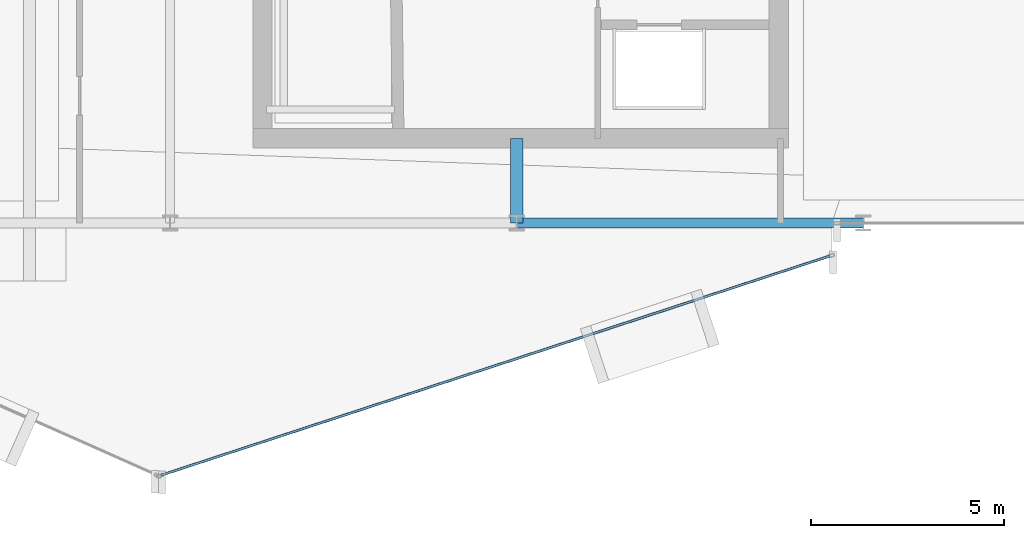
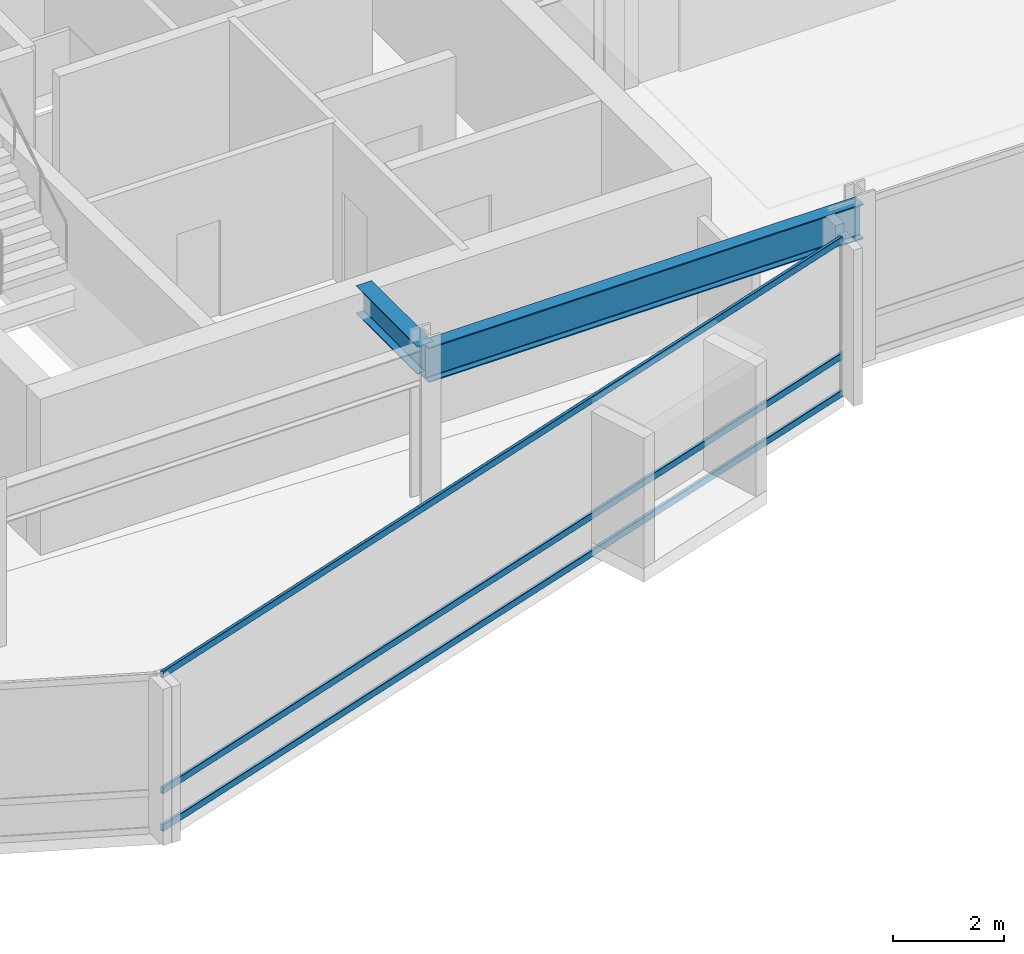
# One storey, part 9 of 27: 3 members, 2 beams, 1 element without a shape of its own.
"""IFC4 building model written with IfcOpenShell, lengths in metres."""

from ifc_helpers import new_model, si_unit, direction, frame, origin, origin_2d, place, context, subcontext, project, spatial, hollow_rectangle, i_section, extrude, material, layer, layer_set, material_profile, profile_set, type_object, element, aggregate, save


model = new_model("IFC4")

# Units and contexts
model_context = context("Model", 3, precision=1e-05, world=origin(), true_north=direction((0.0, 1.0)))
body_context = subcontext(model_context, "Body", "Model", "MODEL_VIEW")
ifc_project = project(units=[si_unit("LENGTHUNIT", "METRE"), si_unit("AREAUNIT", "SQUARE_METRE"), si_unit("VOLUMEUNIT", "CUBIC_METRE"), si_unit("PLANEANGLEUNIT", "RADIAN"), si_unit("MASSUNIT", "GRAM", prefix="KILO")], contexts=[model_context])

# Site, building, storey
site_placement = place(None, origin())
site = spatial("IfcSite", under=ifc_project, at=site_placement, CompositionType="ELEMENT")
building_placement = place(site_placement, origin())
building = spatial("IfcBuilding", under=site, at=building_placement, Name="Solvaryn Broadcast Tower", CompositionType="ELEMENT")
storey_placement = place(building_placement, frame((0.0, 0.0, 181.60009765625)))
storey = spatial("IfcBuildingStorey", under=building, at=storey_placement, Name="L45", CompositionType="ELEMENT", Elevation=181.60009765625)

# Beams
ifc_material_1 = material(Name="Steel ASTM A992 Grade 50", Category="steel")
ifc_material_profile_1 = material_profile(ifc_material_1, i_section(OverallWidth=0.323974609375, OverallDepth=0.611083984375, WebThickness=0.0126953125, FlangeThickness=0.01904296875, FilletRadius=0.014892578125, at=origin_2d()))
ifc_profile_set_1 = profile_set([ifc_material_profile_1], Name="Steel ASTM A992 Grade 50")
beam_type_1 = type_object("IfcBeamType", Name="BM-B1-W24X104", PredefinedType="BEAM", material=ifc_profile_set_1)
beam_1_placement = place(storey_placement, frame((36.0, 9.0, 3.114501953125), z_axis=(0.0, 1.0, 0.0), x_axis=(-1.0, 0.0, 0.0)))
element("IfcBeam", 1, at=beam_1_placement, inside=storey, type_object=beam_type_1, Name="L45 Core Tie Beam CTE1", PredefinedType="BEAM", context=body_context, shape_type="SweptSolid", body=[
    extrude(i_section(OverallWidth=0.323974609375, OverallDepth=0.611083984375, WebThickness=0.0126953125, FlangeThickness=0.01904296875, FilletRadius=0.014892578125, at=origin_2d()), origin(), (0.0, 0.0, 1.0), 2.199951171875),
])
ifc_material_2 = material(Name="Steel ASTM A992 Grade 50", Category="steel")
ifc_material_profile_2 = material_profile(ifc_material_2, i_section(OverallWidth=0.26708984375, OverallDepth=0.76611328125, WebThickness=0.014892578125, FlangeThickness=0.023681640625, FilletRadius=0.01806640625, at=origin_2d()))
ifc_profile_set_2 = profile_set([ifc_material_profile_2], Name="Steel ASTM A992 Grade 50")
beam_type_2 = type_object("IfcBeamType", Name="BM-SP2-W30X124", PredefinedType="USERDEFINED", material=ifc_profile_set_2)
beam_2_placement = place(storey_placement, frame((36.0, 9.0, 3.036865234375), z_axis=(1.0, 0.0, 0.0), x_axis=(0.0, 1.0, 0.0)))
element("IfcBeam", 2, at=beam_2_placement, inside=storey, type_object=beam_type_2, Name="L45 Spandrel Beam X (36-45 @ Y=9)", ObjectType="SPANDREL", PredefinedType="USERDEFINED", context=body_context, shape_type="SweptSolid", body=[
    extrude(i_section(OverallWidth=0.26708984375, OverallDepth=0.76611328125, WebThickness=0.014892578125, FlangeThickness=0.023681640625, FilletRadius=0.01806640625, at=origin_2d()), origin(), (0.0, 0.0, 1.0), 9.0),
])

# Curtain wall, members
ifc_material_3 = material(Name="Aluminium and Terracotta Unitised Curtain Wall", Category="masonry")
ifc_layer = layer(ifc_material_3, 0.199951171875)
ifc_layer_set = layer_set([ifc_layer], Name="CW-SYS2-LOWMID")
curtain_wall_type = type_object("IfcCurtainWallType", Name="CW-SYS2-LOWMID", PredefinedType="NOTDEFINED", material=ifc_layer_set)
curtain_wall_placement = place(storey_placement, origin())
curtain_wall = element("IfcCurtainWall", 3, at=curtain_wall_placement, inside=storey, type_object=curtain_wall_type, Name="L45 Curtain Wall DR4", PredefinedType="NOTDEFINED")
ifc_material_4 = material(Name="Anodised Aluminium 6063-T6", Category="aluminium")
ifc_material_profile_3 = material_profile(ifc_material_4, hollow_rectangle(XDim=0.06494140625, YDim=0.14990234375, WallThickness=0.00390625, InnerFilletRadius=0.00390625, OuterFilletRadius=0.008056640625, at=origin_2d()))
ifc_profile_set_3 = profile_set([ifc_material_profile_3], Name="Anodised Aluminium 6063-T6")
member_type = type_object("IfcMemberType", Name="CW-TRN-150", PredefinedType="USERDEFINED", material=ifc_profile_set_3)
member_1_placement = place(storey_placement, frame((26.762939453125, 2.45166015625, 0.02978515625), z_axis=(0.950227141586, 0.311557987209, 0.0), x_axis=(-0.311557987209, 0.950227141586, 0.0)))
member_1 = element("IfcMember", 4, at=member_1_placement, type_object=member_type, Name="CWS2 transom 1.1", ObjectType="TRANSOM", PredefinedType="USERDEFINED", context=body_context, shape_type="SweptSolid", body=[
    extrude(hollow_rectangle(XDim=0.06494140625, YDim=0.14990234375, WallThickness=0.00390625, InnerFilletRadius=0.00390625, OuterFilletRadius=0.008056640625, at=origin_2d()), origin(), (0.0, 0.0, 1.0), 18.271484375),
])
member_2_placement = place(storey_placement, frame((26.762939453125, 2.45166015625, 0.849853515625), z_axis=(0.950227141586, 0.311557987209, 0.0), x_axis=(-0.311557987209, 0.950227141586, 0.0)))
member_2 = element("IfcMember", 5, at=member_2_placement, type_object=member_type, Name="CWS2 transom 1.2", ObjectType="TRANSOM", PredefinedType="USERDEFINED", context=body_context, shape_type="SweptSolid", body=[
    extrude(hollow_rectangle(XDim=0.06494140625, YDim=0.14990234375, WallThickness=0.00390625, InnerFilletRadius=0.00390625, OuterFilletRadius=0.008056640625, at=origin_2d()), origin(), (0.0, 0.0, 1.0), 18.271484375),
])
member_3_placement = place(storey_placement, frame((26.762939453125, 2.45166015625, 3.389892578125), z_axis=(0.950227141586, 0.311557987209, 0.0), x_axis=(-0.311557987209, 0.950227141586, 0.0)))
member_3 = element("IfcMember", 6, at=member_3_placement, type_object=member_type, Name="CWS2 transom 1.3", ObjectType="TRANSOM", PredefinedType="USERDEFINED", context=body_context, shape_type="SweptSolid", body=[
    extrude(hollow_rectangle(XDim=0.06494140625, YDim=0.14990234375, WallThickness=0.00390625, InnerFilletRadius=0.00390625, OuterFilletRadius=0.008056640625, at=origin_2d()), origin(), (0.0, 0.0, 1.0), 18.271484375),
])
aggregate(curtain_wall, [member_1, member_2, member_3])

save(model, "model.ifc")
